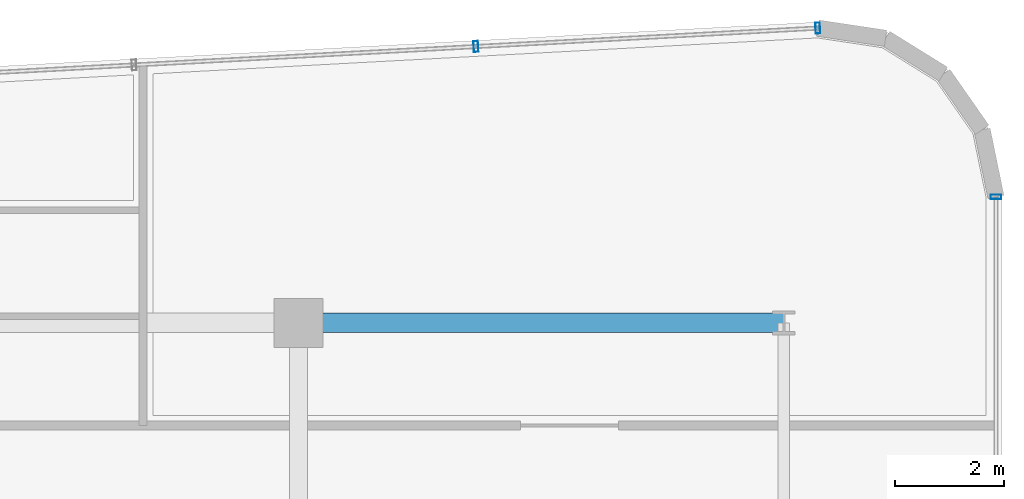
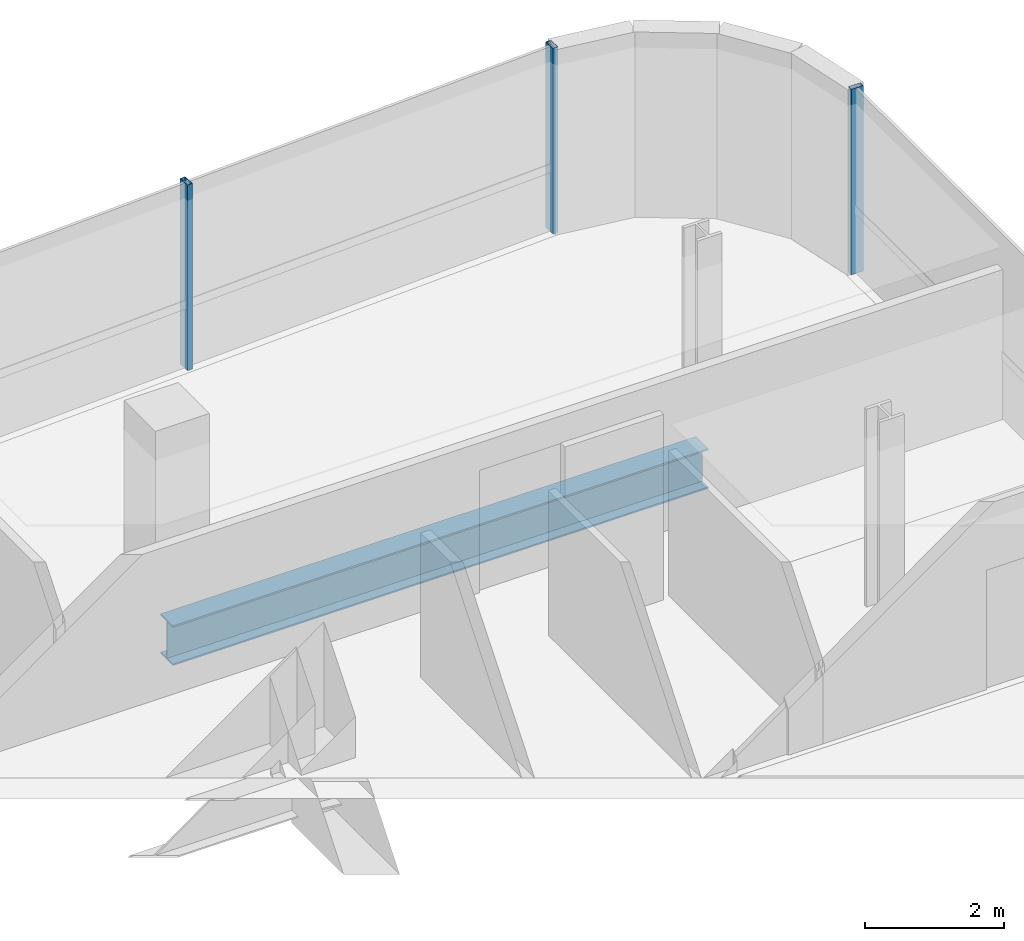
# One storey, part 14 of 22: 3 members, 1 beam, 2 elements without a shape of their own.
"""IFC4 building model written with IfcOpenShell, lengths in metres."""

from ifc_helpers import new_model, si_unit, direction, frame, origin, origin_2d, place, context, subcontext, project, spatial, hollow_rectangle, i_section, extrude, source, transform, mapped, material, material_profile, profile_set, type_object, element, aggregate, save


model = new_model("IFC4")

# Units and contexts
model_context = context("Model", 3, precision=1e-05, world=origin(), true_north=direction((0.0, 1.0)))
body_context = subcontext(model_context, "Body", "Model", "MODEL_VIEW")
ifc_project = project(units=[si_unit("LENGTHUNIT", "METRE"), si_unit("AREAUNIT", "SQUARE_METRE"), si_unit("VOLUMEUNIT", "CUBIC_METRE"), si_unit("PLANEANGLEUNIT", "RADIAN"), si_unit("MASSUNIT", "GRAM", prefix="KILO")], contexts=[model_context])

# Site, building, storey
site_placement = place(None, origin())
site = spatial("IfcSite", under=ifc_project, at=site_placement, CompositionType="ELEMENT")
building_placement = place(site_placement, origin())
building = spatial("IfcBuilding", under=site, at=building_placement, Name="Valdorenza Pilgrim Sanctuary Tower", CompositionType="ELEMENT")
storey_placement = place(building_placement, frame((0.0, 0.0, 209.0)))
storey = spatial("IfcBuildingStorey", under=building, at=storey_placement, Name="L53", CompositionType="ELEMENT", Elevation=209.0)

# Beam
ifc_material_1 = material(Name="Steel ASTM A992 Grade 50", Category="steel")
ifc_material_profile_1 = material_profile(ifc_material_1, i_section(OverallWidth=0.35595703125, OverallDepth=0.700927734375, WebThickness=0.016845703125, FlangeThickness=0.02734375, at=origin_2d()), Name="W27X161")
ifc_profile_set_1 = profile_set([ifc_material_profile_1], Name="Steel ASTM A992 Grade 50")
beam_type = type_object("IfcBeamType", Name="STR-BM-GRD-W27", PredefinedType="BEAM", material=ifc_profile_set_1)
shared_shape_1 = source(origin(), body_context, "Body", "SweptSolid", [
    extrude(i_section(OverallWidth=0.35595703125, OverallDepth=0.700927734375, WebThickness=0.016845703125, FlangeThickness=0.02734375, at=origin_2d()), origin(), (0.0, 0.0, 1.0), 8.89990234375),
])
beam_placement = place(storey_placement, frame((-12.39990234375, 14.800048828125, -0.590576171875), z_axis=(1.0, 0.0, 0.0), x_axis=(0.0, 1.0, 0.0)))
element("IfcBeam", 1, at=beam_placement, inside=storey, type_object=beam_type, Name="L53 Floor Girder UWA-KG2", PredefinedType="BEAM", context=body_context, shape_type="MappedRepresentation", body=[
    mapped(shared_shape_1, transform((0.0, 0.0, 0.0), x_axis=(1.0, 0.0, 0.0), y_axis=(0.0, 1.0, 0.0), z_axis=(0.0, 0.0, 1.0), scale=1.0)),
])

# Curtain wall, members
ifc_material_2 = material(Name="Curtain-wall IGU glazing", Category="glass")
curtain_wall_type = type_object("IfcCurtainWallType", Name="CW-SYS-02", PredefinedType="NOTDEFINED", material=ifc_material_2)
curtain_wall_1_placement = place(storey_placement, origin())
curtain_wall_1 = element("IfcCurtainWall", 2, at=curtain_wall_1_placement, inside=storey, type_object=curtain_wall_type, Name="L53 Curtain Wall CW-L53-1-6", PredefinedType="NOTDEFINED")
ifc_material_3 = material(Name="Anodised aluminium AW-6060", Category="aluminium")
ifc_material_profile_2 = material_profile(ifc_material_3, hollow_rectangle(XDim=0.0849609375, YDim=0.199951171875, WallThickness=0.0048828125, at=origin_2d()), Name="ALU-M 200x85x5")
ifc_profile_set_2 = profile_set([ifc_material_profile_2], Name="Anodised aluminium AW-6060")
member_type = type_object("IfcMemberType", Name="CW-MUL-02", PredefinedType="MULLION", material=ifc_profile_set_2)
shared_shape_2 = source(origin(), body_context, "Body", "SweptSolid", [
    extrude(hollow_rectangle(XDim=0.0849609375, YDim=0.199951171875, WallThickness=0.0048828125, at=origin_2d()), origin(), (0.0, 0.0, 1.0), 3.260009765625),
])
member_1_placement = place(storey_placement, frame((-9.147216796875, 19.869140625, 0.0), z_axis=(0.0, 0.0, 1.0), x_axis=(0.998547034311, 0.053887106711, 0.0)))
member_1 = element("IfcMember", 3, at=member_1_placement, type_object=member_type, Name="CW-L53-1-6 Mullion 4", PredefinedType="MULLION", context=body_context, shape_type="MappedRepresentation", body=[
    mapped(shared_shape_2, transform((0.0, 0.0, 0.0), x_axis=(1.0, 0.0, 0.0), y_axis=(0.0, 1.0, 0.0), z_axis=(0.0, 0.0, 1.0), scale=1.0)),
])
member_2_placement = place(storey_placement, frame((-2.877685546875, 20.20751953125, 0.0), z_axis=(0.0, 0.0, 1.0), x_axis=(0.998547034311, 0.053887106711, 0.0)))
member_2 = element("IfcMember", 4, at=member_2_placement, type_object=member_type, Name="CW-L53-1-6 Mullion 5", PredefinedType="MULLION", context=body_context, shape_type="MappedRepresentation", body=[
    mapped(shared_shape_2, transform((0.0, 0.0, 0.0), x_axis=(1.0, 0.0, 0.0), y_axis=(0.0, 1.0, 0.0), z_axis=(0.0, 0.0, 1.0), scale=1.0)),
])
aggregate(curtain_wall_1, [member_1, member_2])

# Curtain wall, member
curtain_wall_2_placement = place(storey_placement, origin())
curtain_wall_2 = element("IfcCurtainWall", 5, at=curtain_wall_2_placement, inside=storey, type_object=curtain_wall_type, Name="L53 Curtain Wall CW-L53-1-11", PredefinedType="NOTDEFINED")
member_3_placement = place(storey_placement, frame((0.389892578125, 17.111328125, 0.0), z_axis=(0.0, 0.0, 1.0), x_axis=(0.0, -1.0, 0.0)))
member_3 = element("IfcMember", 6, at=member_3_placement, type_object=member_type, Name="CW-L53-1-11 Mullion 1", PredefinedType="MULLION", context=body_context, shape_type="MappedRepresentation", body=[
    mapped(shared_shape_2, transform((0.0, 0.0, 0.0), x_axis=(1.0, 0.0, 0.0), y_axis=(0.0, 1.0, 0.0), z_axis=(0.0, 0.0, 1.0), scale=1.0)),
])
aggregate(curtain_wall_2, [member_3])

save(model, "model.ifc")
